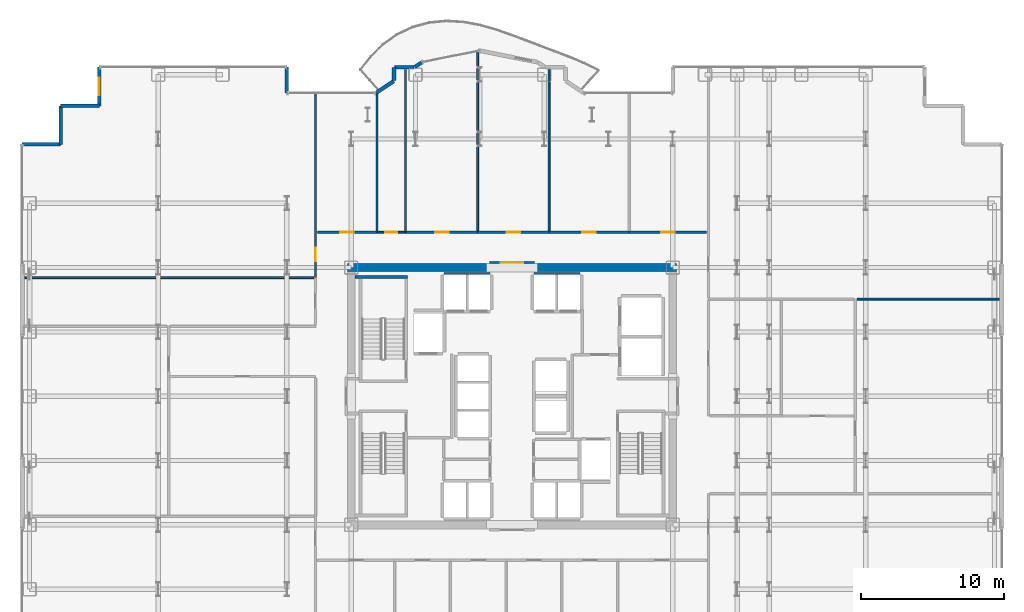
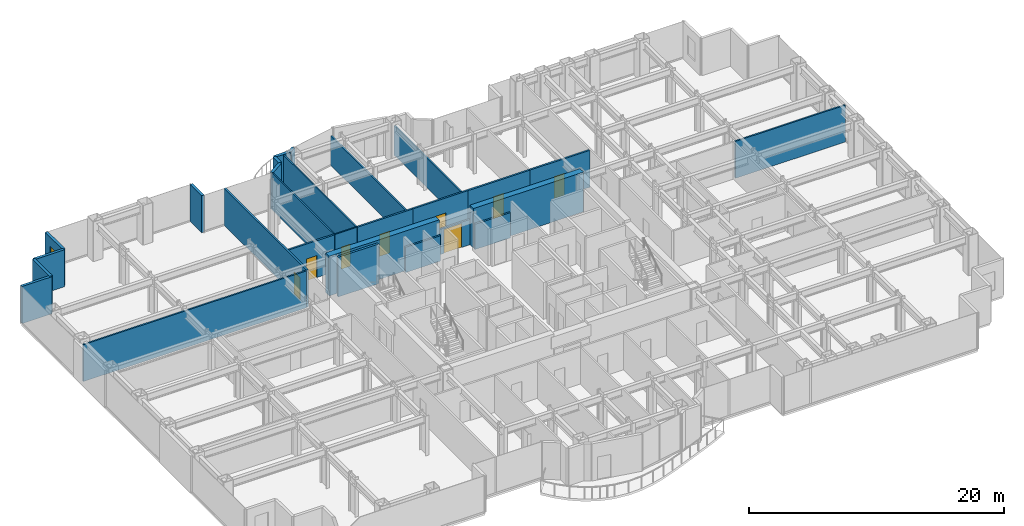
# One storey, part 26 of 29: 28 walls, 8 doors, 1 window, 9 openings.
"""IFC4 building model written with IfcOpenShell, lengths in metres."""

from ifc_helpers import new_model, si_unit, direction, frame, frame_2d, origin, place, context, subcontext, project, spatial, rectangle, extrude, source, transform, mapped, material, layer, layer_set, type_object, element, fill, save


model = new_model("IFC4")

# Units and contexts
model_context = context("Model", 3, precision=1e-05, world=origin(), true_north=direction((0.0, 1.0)))
body_context = subcontext(model_context, "Body", "Model", "MODEL_VIEW")
ifc_project = project(units=[si_unit("LENGTHUNIT", "METRE"), si_unit("AREAUNIT", "SQUARE_METRE"), si_unit("VOLUMEUNIT", "CUBIC_METRE"), si_unit("PLANEANGLEUNIT", "RADIAN"), si_unit("MASSUNIT", "GRAM", prefix="KILO")], contexts=[model_context])

# Site, building, storey
site_placement = place(None, origin())
site = spatial("IfcSite", under=ifc_project, at=site_placement, CompositionType="ELEMENT")
building_placement = place(site_placement, origin())
building = spatial("IfcBuilding", under=site, at=building_placement, Name="Nefas-Gora Pilgrimage Tower", CompositionType="ELEMENT")
storey_placement = place(building_placement, frame((0.0, 0.0, 90.800048828125)))
storey = spatial("IfcBuildingStorey", under=building, at=storey_placement, Name="L21", CompositionType="ELEMENT", Elevation=90.800048828125)

# Walls
ifc_material_1 = material(Name="Concrete C60/75", Category="concrete")
ifc_layer_1 = layer(ifc_material_1, 0.550048828125)
ifc_layer_set_1 = layer_set([ifc_layer_1], Name="Concrete C60/75")
wall_type_1 = type_object("IfcWallType", Name="SW-CORE-550", PredefinedType="SHEAR", material=ifc_layer_set_1)
shared_shape_1 = source(origin(), body_context, "Body", "SweptSolid", [
    extrude(rectangle(XDim=9.974853515625, YDim=0.550048828125, at=frame_2d((4.9873046875, 0.0))), origin(), (0.0, 0.0, 1.0), 3.800048828125),
])
for number, where, z_axis, x_axis, name in (
    (1, (-11.52490234375, 9.0, 0.0), (0.0, 0.0, 1.0), (1.0, 0.0, 0.0), "L21 Core Shear Wall N-West"),
    (2, (1.550048828125, 9.0, 0.0), (0.0, 0.0, 1.0), (1.0, 0.0, 0.0), "L21 Core Shear Wall N-East"),
):
    element("IfcWall", number, at=place(storey_placement, frame(where, z_axis=z_axis, x_axis=x_axis)), inside=storey, type_object=wall_type_1, Name=name, PredefinedType="SHEAR", context=body_context, shape_type="MappedRepresentation", body=[
        mapped(shared_shape_1, transform((0.0, 0.0, 0.0), x_axis=(1.0, 0.0, 0.0), y_axis=(0.0, 1.0, 0.0), z_axis=(0.0, 0.0, 1.0), scale=1.0)),
    ])
ifc_material_2 = material(Name="Precast concrete C40/50", Category="concrete")
ifc_layer_2 = layer(ifc_material_2, 0.260009765625)
ifc_layer_set_2 = layer_set([ifc_layer_2], Name="Precast concrete C40/50")
wall_type_2 = type_object("IfcWallType", Name="EW-PORTAL-260", PredefinedType="SOLIDWALL", material=ifc_layer_set_2)
shared_shape_2 = source(origin(), body_context, "Body", "SweptSolid", [
    extrude(rectangle(XDim=1.800048828125, YDim=0.260009765625, at=frame_2d((0.89990234375, 0.0))), origin(), (0.0, 0.0, 1.0), 3.550048828125),
])
wall_1_placement = place(storey_placement, frame((-15.75, 21.219970703125, 0.0), z_axis=(0.0, 0.0, 1.0), x_axis=(0.0, 1.0, 0.0)))
element("IfcWall", 3, at=wall_1_placement, inside=storey, type_object=wall_type_2, Name="L21 Lobe Shoulder Precast Spandrel Pier 24", PredefinedType="SOLIDWALL", context=body_context, shape_type="MappedRepresentation", body=[
    mapped(shared_shape_2, transform((0.0, 0.0, 0.0), x_axis=(1.0, 0.0, 0.0), y_axis=(0.0, 1.0, 0.0), z_axis=(0.0, 0.0, 1.0), scale=1.0)),
])

# Wall, opening, window
ifc_material_3 = material(Name="Precast concrete C45/55", Category="concrete")
ifc_layer_3 = layer(ifc_material_3, 0.239990234375)
ifc_layer_set_3 = layer_set([ifc_layer_3], Name="Precast concrete C45/55")
wall_type_3 = type_object("IfcWallType", Name="EW-SERR-240", PredefinedType="SHEAR", material=ifc_layer_set_3)
shared_shape_3 = source(origin(), body_context, "Body", "SweptSolid", [
    extrude(rectangle(XDim=2.699951171875, YDim=0.239990234375, at=frame_2d((1.35009765625, 0.0))), origin(), (0.0, 0.0, 1.0), 3.550048828125),
])
wall_2_placement = place(storey_placement, frame((-28.8701171875, 23.02001953125, 0.0), z_axis=(0.0, 0.0, 1.0), x_axis=(0.0, -1.0, 0.0)))
wall_2 = element("IfcWall", 4, at=wall_2_placement, inside=storey, type_object=wall_type_3, Name="L21 Serrated Corner Shear Pier Wall 25", PredefinedType="SHEAR", context=body_context, shape_type="MappedRepresentation", body=[
    mapped(shared_shape_3, transform((0.0, 0.0, 0.0), x_axis=(1.0, 0.0, 0.0), y_axis=(0.0, 1.0, 0.0), z_axis=(0.0, 0.0, 1.0), scale=1.0)),
])
opening_1_placement = place(wall_2_placement, frame((0.75, 0.0, 0.85009765625)))
opening_1 = element("IfcOpeningElement", 5, at=opening_1_placement, cuts=wall_2, Name="Opening W-V1", PredefinedType="OPENING", context=body_context, shape_type="SweptSolid", body=[
    extrude(rectangle(XDim=1.199951171875, YDim=1.800048828125, at=frame_2d((0.60009765625, 0.89990234375))), frame((0.0, 0.1298828125, 0.0), z_axis=(0.0, -1.0, 0.0), x_axis=(1.0, 0.0, 0.0)), (0.0, 0.0, 1.0), 0.260009765625),
])
ifc_material_4 = material(Name="Dark ceramic-fritted operable aluminium-glass window", Category="aluminium")
window_type = type_object("IfcWindowType", Name="WIN-VENT-1200x1800", PartitioningType="SINGLE_PANEL", PredefinedType="WINDOW", material=ifc_material_4)
shared_shape_4 = source(origin(), body_context, "Body", "SweptSolid", [
    extrude(rectangle(XDim=1.199951171875, YDim=1.800048828125, at=frame_2d((0.60009765625, 0.89990234375))), frame((0.0, 0.030029296875, 0.0), z_axis=(0.0, -1.0, 0.0), x_axis=(1.0, 0.0, 0.0)), (0.0, 0.0, 1.0), 0.06005859375),
])
window_placement = place(opening_1_placement, origin())
window = element("IfcWindow", 6, at=window_placement, inside=storey, type_object=window_type, Name="L21 Operable Parallel-Outswing Window 25", OverallHeight=1.800048828125, OverallWidth=1.199951171875, PartitioningType="SINGLE_PANEL", PredefinedType="WINDOW", context=body_context, shape_type="MappedRepresentation", body=[
    mapped(shared_shape_4, transform((0.0, 0.0, 0.0), x_axis=(1.0, 0.0, 0.0), y_axis=(0.0, 1.0, 0.0), z_axis=(0.0, 0.0, 1.0), scale=1.0)),
])
fill(opening_1, window)

# Walls
for number, where, z_axis, x_axis, name in (
    (7, (-28.8701171875, 20.320068359375, 0.0), (0.0, 0.0, 1.0), (-1.0, 0.0, 0.0), "L21 Serrated Corner Shear Pier Wall 26"),
    (8, (-31.570068359375, 20.320068359375, 0.0), (0.0, 0.0, 1.0), (0.0, -1.0, 0.0), "L21 Serrated Corner Shear Pier Wall 27"),
    (9, (-31.570068359375, 17.6201171875, 0.0), (0.0, 0.0, 1.0), (-1.0, 0.0, 0.0), "L21 Serrated Corner Shear Pier Wall 28"),
):
    element("IfcWall", number, at=place(storey_placement, frame(where, z_axis=z_axis, x_axis=x_axis)), inside=storey, type_object=wall_type_3, Name=name, PredefinedType="SHEAR", context=body_context, shape_type="MappedRepresentation", body=[
        mapped(shared_shape_3, transform((0.0, 0.0, 0.0), x_axis=(1.0, 0.0, 0.0), y_axis=(0.0, 1.0, 0.0), z_axis=(0.0, 0.0, 1.0), scale=1.0)),
    ])
shared_shape_5 = source(origin(), body_context, "Body", "SweptSolid", [
    extrude(rectangle(XDim=1.468994140625, YDim=0.260009765625, at=frame_2d((0.734375, 0.0))), origin(), (0.0, 0.0, 1.0), 3.550048828125),
])
wall_3_placement = place(storey_placement, frame((-8.273193359375, 22.0517578125, 0.0), z_axis=(0.0, 0.0, 1.0), x_axis=(-0.831461760506, -0.555581983884, 0.0)))
element("IfcWall", 10, at=wall_3_placement, inside=storey, type_object=wall_type_2, Name="L21 Lobe Shoulder Precast Spandrel Pier 23", PredefinedType="SOLIDWALL", context=body_context, shape_type="MappedRepresentation", body=[
    mapped(shared_shape_5, transform((0.0, 0.0, 0.0), x_axis=(1.0, 0.0, 0.0), y_axis=(0.0, 1.0, 0.0), z_axis=(0.0, 0.0, 1.0), scale=1.0)),
])
shared_shape_6 = source(origin(), body_context, "Body", "SweptSolid", [
    extrude(rectangle(XDim=0.896728515625, YDim=0.260009765625, at=frame_2d((0.4482421875, 0.0))), origin(), (0.0, 0.0, 1.0), 3.550048828125),
])
wall_4_placement = place(storey_placement, frame((-8.25, 22.991943359375, 0.0), z_axis=(0.0, 0.0, 1.0), x_axis=(0.0, -1.0, 0.0)))
element("IfcWall", 11, at=wall_4_placement, inside=storey, type_object=wall_type_2, Name="L21 Lobe Shoulder Precast Spandrel Pier 22", PredefinedType="SOLIDWALL", context=body_context, shape_type="MappedRepresentation", body=[
    mapped(shared_shape_6, transform((0.0, 0.0, 0.0), x_axis=(1.0, 0.0, 0.0), y_axis=(0.0, 1.0, 0.0), z_axis=(0.0, 0.0, 1.0), scale=1.0)),
])
shared_shape_7 = source(origin(), body_context, "Body", "SweptSolid", [
    extrude(rectangle(XDim=1.369873046875, YDim=0.260009765625, at=frame_2d((0.68505859375, 0.0))), origin(), (0.0, 0.0, 1.0), 3.550048828125),
])
wall_5_placement = place(storey_placement, frame((-6.85205078125, 23.02001953125, 0.0), z_axis=(0.0, 0.0, 1.0), x_axis=(-1.0, 0.0, 0.0)))
element("IfcWall", 12, at=wall_5_placement, inside=storey, type_object=wall_type_2, Name="L21 Lobe Shoulder Precast Spandrel Pier 21", PredefinedType="SOLIDWALL", context=body_context, shape_type="MappedRepresentation", body=[
    mapped(shared_shape_7, transform((0.0, 0.0, 0.0), x_axis=(1.0, 0.0, 0.0), y_axis=(0.0, 1.0, 0.0), z_axis=(0.0, 0.0, 1.0), scale=1.0)),
])
shared_shape_8 = source(origin(), body_context, "Body", "SweptSolid", [
    extrude(rectangle(XDim=0.5654296875, YDim=0.260009765625, at=frame_2d((0.28271484375, 0.0))), origin(), (0.0, 0.0, 1.0), 3.550048828125),
])
wall_6_placement = place(storey_placement, frame((-6.33056640625, 23.349609375, 0.0), z_axis=(0.0, 0.0, 1.0), x_axis=(-0.831651492666, -0.555297933317, 0.0)))
element("IfcWall", 13, at=wall_6_placement, inside=storey, type_object=wall_type_2, Name="L21 Lobe Shoulder Precast Spandrel Pier 20", PredefinedType="SOLIDWALL", context=body_context, shape_type="MappedRepresentation", body=[
    mapped(shared_shape_8, transform((0.0, 0.0, 0.0), x_axis=(1.0, 0.0, 0.0), y_axis=(0.0, 1.0, 0.0), z_axis=(0.0, 0.0, 1.0), scale=1.0)),
])
ifc_material_5 = material(Name="Concrete C45/55", Category="concrete")
ifc_layer_4 = layer(ifc_material_5, 0.199951171875)
ifc_layer_set_4 = layer_set([ifc_layer_4], Name="Concrete C45/55")
wall_type_4 = type_object("IfcWallType", Name="IW-STAIR-200", PredefinedType="SOLIDWALL", material=ifc_layer_set_4)
shared_shape_9 = source(origin(), body_context, "Body", "SweptSolid", [
    extrude(rectangle(XDim=3.679931640625, YDim=0.199951171875, at=frame_2d((1.83984375, 0.0))), origin(), (0.0, 0.0, 1.0), 3.800048828125),
])
wall_7_placement = place(storey_placement, frame((-7.300048828125, 8.35009765625, 0.0), z_axis=(0.0, 0.0, 1.0), x_axis=(-1.0, 0.0, 0.0)))
element("IfcWall", 14, at=wall_7_placement, inside=storey, type_object=wall_type_4, Name="L21 Stairwell Shear Wall ST-01-far", PredefinedType="SOLIDWALL", context=body_context, shape_type="MappedRepresentation", body=[
    mapped(shared_shape_9, transform((0.0, 0.0, 0.0), x_axis=(1.0, 0.0, 0.0), y_axis=(0.0, 1.0, 0.0), z_axis=(0.0, 0.0, 1.0), scale=1.0)),
])
ifc_material_6 = material(Name="Gypsum acoustic stud partition")
ifc_layer_5 = layer(ifc_material_6, 0.159912109375)
ifc_layer_set_5 = layer_set([ifc_layer_5], Name="Gypsum acoustic stud partition")
wall_type_5 = type_object("IfcWallType", Name="IW-CORR-160", PredefinedType="PARTITIONING", material=ifc_layer_set_5)
shared_shape_10 = source(origin(), body_context, "Body", "SweptSolid", [
    extrude(rectangle(XDim=3.199951171875, YDim=0.159912109375, at=frame_2d((1.60009765625, 0.0))), origin(), (0.0, 0.0, 1.0), 2.425048828125),
])
for number, where, z_axis, x_axis, name in (
    (15, (-1.550048828125, 8.580078125, 0.0), (0.0, 0.0, 1.0), (-1.0, 0.0, 0.0), "L21 Hoistway Wall PL1-W-N"),
    (16, (4.75, 8.580078125, 0.0), (0.0, 0.0, 1.0), (-1.0, 0.0, 0.0), "L21 Hoistway Wall PL1-E-N"),
):
    element("IfcWall", number, at=place(storey_placement, frame(where, z_axis=z_axis, x_axis=x_axis)), inside=storey, type_object=wall_type_5, Name=name, PredefinedType="PARTITIONING", context=body_context, shape_type="MappedRepresentation", body=[
        mapped(shared_shape_10, transform((0.0, 0.0, 0.0), x_axis=(1.0, 0.0, 0.0), y_axis=(0.0, 1.0, 0.0), z_axis=(0.0, 0.0, 1.0), scale=1.0)),
    ])

# Wall, opening, door
ifc_material_7 = material(Name="Moisture-resistant fire-rated gypsum partition")
ifc_layer_6 = layer(ifc_material_7, 0.1201171875)
ifc_layer_set_6 = layer_set([ifc_layer_6], Name="Moisture-resistant fire-rated gypsum partition")
wall_type_6 = type_object("IfcWallType", Name="IW-WET-120", PredefinedType="PLUMBINGWALL", material=ifc_layer_set_6)
shared_shape_11 = source(origin(), body_context, "Body", "SweptSolid", [
    extrude(rectangle(XDim=2.02001953125, YDim=0.1201171875, at=frame_2d((1.010009765625, 0.0))), origin(), (0.0, 0.0, 1.0), 3.534912109375),
])
wall_8_placement = place(storey_placement, frame((-9.4599609375, 11.469970703125, 0.0), z_axis=(0.0, 0.0, 1.0), x_axis=(1.0, 0.0, 0.0)))
wall_8 = element("IfcWall", 17, at=wall_8_placement, inside=storey, type_object=wall_type_6, Name="L21 Accessible Unisex WC Partition Wall 25", PredefinedType="PLUMBINGWALL", context=body_context, shape_type="MappedRepresentation", body=[
    mapped(shared_shape_11, transform((0.0, 0.0, 0.0), x_axis=(1.0, 0.0, 0.0), y_axis=(0.0, 1.0, 0.0), z_axis=(0.0, 0.0, 1.0), scale=1.0)),
])
opening_2_placement = place(wall_8_placement, frame((0.5849609375, 0.0, 0.0)))
opening_2 = element("IfcOpeningElement", 18, at=opening_2_placement, cuts=wall_8, Name="Opening ID-BT1", PredefinedType="OPENING", context=body_context, shape_type="SweptSolid", body=[
    extrude(rectangle(XDim=0.85009765625, YDim=2.10009765625, at=frame_2d((0.425048828125, 1.050048828125))), frame((0.0, 0.070068359375, 0.0), z_axis=(0.0, -1.0, 0.0), x_axis=(1.0, 0.0, 0.0)), (0.0, 0.0, 1.0), 0.14013671875),
])
ifc_material_8 = material(Name="Moisture-resistant fire-rated timber door", Category="wood")
door_type_1 = type_object("IfcDoorType", Name="DR-INT-BATH-850", OperationType="NOTDEFINED", PredefinedType="DOOR", material=ifc_material_8)
shared_shape_12 = source(origin(), body_context, "Body", "SweptSolid", [
    extrude(rectangle(XDim=0.85009765625, YDim=2.10009765625, at=frame_2d((0.425048828125, 1.050048828125))), frame((0.0, 0.02490234375, 0.0), z_axis=(0.0, -1.0, 0.0), x_axis=(1.0, 0.0, 0.0)), (0.0, 0.0, 1.0), 0.050048828125),
])
door_1_placement = place(opening_2_placement, origin())
door_1 = element("IfcDoor", 19, at=door_1_placement, inside=storey, type_object=door_type_1, Name="L21 Accessible Unisex WC Door 10", OperationType="SINGLE_SWING_LEFT", OverallHeight=2.10009765625, OverallWidth=0.85009765625, PredefinedType="DOOR", context=body_context, shape_type="MappedRepresentation", body=[
    mapped(shared_shape_12, transform((0.0, 0.0, 0.0), x_axis=(1.0, 0.0, 0.0), y_axis=(0.0, 1.0, 0.0), z_axis=(0.0, 0.0, 1.0), scale=1.0)),
])
fill(opening_2, door_1)

# Walls
shared_shape_13 = source(origin(), body_context, "Body", "SweptSolid", [
    extrude(rectangle(XDim=11.280029296875, YDim=0.1201171875, at=frame_2d((5.64013671875, 0.0))), origin(), (0.0, 0.0, 1.0), 3.534912109375),
])
wall_9_placement = place(storey_placement, frame((-7.449951171875, 11.570068359375, 0.0), z_axis=(0.0, 0.0, 1.0), x_axis=(0.0, 1.0, 0.0)))
element("IfcWall", 20, at=wall_9_placement, inside=storey, type_object=wall_type_6, Name="L21 Accessible Unisex WC Partition Wall 26", PredefinedType="PLUMBINGWALL", context=body_context, shape_type="MappedRepresentation", body=[
    mapped(shared_shape_13, transform((0.0, 0.0, 0.0), x_axis=(1.0, 0.0, 0.0), y_axis=(0.0, 1.0, 0.0), z_axis=(0.0, 0.0, 1.0), scale=1.0)),
])
shared_shape_14 = source(origin(), body_context, "Body", "SweptSolid", [
    extrude(rectangle(XDim=9.586669921875, YDim=0.1201171875, at=frame_2d((4.79345703125, 0.0))), origin(), (0.0, 0.0, 1.0), 3.534912109375),
])
wall_10_placement = place(storey_placement, frame((-9.449951171875, 11.570068359375, 0.0), z_axis=(0.0, 0.0, 1.0), x_axis=(0.0, 1.0, 0.0)))
element("IfcWall", 21, at=wall_10_placement, inside=storey, type_object=wall_type_6, Name="L21 Accessible Unisex WC Partition Wall 27", PredefinedType="PLUMBINGWALL", context=body_context, shape_type="MappedRepresentation", body=[
    mapped(shared_shape_14, transform((0.0, 0.0, 0.0), x_axis=(1.0, 0.0, 0.0), y_axis=(0.0, 1.0, 0.0), z_axis=(0.0, 0.0, 1.0), scale=1.0)),
])
ifc_material_9 = material(Name="Gypsum twin-stud partition")
ifc_layer_7 = layer(ifc_material_9, 0.139892578125)
ifc_layer_set_7 = layer_set([ifc_layer_7], Name="Gypsum twin-stud partition")
wall_type_7 = type_object("IfcWallType", Name="IW-UNIT-140", PredefinedType="PARTITIONING", material=ifc_layer_set_7)
shared_shape_15 = source(origin(), body_context, "Body", "SweptSolid", [
    extrude(rectangle(XDim=20.219970703125, YDim=0.139892578125, at=frame_2d((10.10986328125, 0.0))), origin(), (0.0, 0.0, 1.0), 3.534912109375),
])
wall_11_placement = place(storey_placement, frame((-34.080078125, 8.294921875, 0.0), z_axis=(0.0, 0.0, 1.0), x_axis=(1.0, 0.0, 0.0)))
element("IfcWall", 22, at=wall_11_placement, inside=storey, type_object=wall_type_7, Name="L21 Pilgrim Tea and Beverage Pantry Partition Wall 36", PredefinedType="PARTITIONING", context=body_context, shape_type="MappedRepresentation", body=[
    mapped(shared_shape_15, transform((0.0, 0.0, 0.0), x_axis=(1.0, 0.0, 0.0), y_axis=(0.0, 1.0, 0.0), z_axis=(0.0, 0.0, 1.0), scale=1.0)),
])

# Wall, opening, door
shared_shape_16 = source(origin(), body_context, "Body", "SweptSolid", [
    extrude(rectangle(XDim=4.125, YDim=0.159912109375, at=frame_2d((2.0625, 0.0))), origin(), (0.0, 0.0, 1.0), 3.534912109375),
])
wall_12_placement = place(storey_placement, frame((-13.6201171875, 11.469970703125, 0.0), z_axis=(0.0, 0.0, 1.0), x_axis=(1.0, 0.0, 0.0)))
wall_12 = element("IfcWall", 23, at=wall_12_placement, inside=storey, type_object=wall_type_5, Name="L21 Pilgrim Contemplative Lounge Partition Wall 48", PredefinedType="PARTITIONING", context=body_context, shape_type="MappedRepresentation", body=[
    mapped(shared_shape_16, transform((0.0, 0.0, 0.0), x_axis=(1.0, 0.0, 0.0), y_axis=(0.0, 1.0, 0.0), z_axis=(0.0, 0.0, 1.0), scale=1.0)),
])
opening_3_placement = place(wall_12_placement, frame((1.58740234375, 0.0, 0.0)))
opening_3 = element("IfcOpeningElement", 24, at=opening_3_placement, cuts=wall_12, Name="Opening ID-GR1", PredefinedType="OPENING", context=body_context, shape_type="SweptSolid", body=[
    extrude(rectangle(XDim=0.949951171875, YDim=2.10009765625, at=frame_2d((0.47509765625, 1.050048828125))), frame((0.0, 0.08984375, 0.0), z_axis=(0.0, -1.0, 0.0), x_axis=(1.0, 0.0, 0.0)), (0.0, 0.0, 1.0), 0.179931640625),
])
ifc_material_10 = material(Name="Solid core oak fire-rated guest entrance door")
door_type_2 = type_object("IfcDoorType", Name="DR-INT-GUEST-950", OperationType="NOTDEFINED", PredefinedType="DOOR", material=ifc_material_10)
shared_shape_17 = source(origin(), body_context, "Body", "SweptSolid", [
    extrude(rectangle(XDim=0.949951171875, YDim=2.10009765625, at=frame_2d((0.47509765625, 1.050048828125))), frame((0.0, 0.02490234375, 0.0), z_axis=(0.0, -1.0, 0.0), x_axis=(1.0, 0.0, 0.0)), (0.0, 0.0, 1.0), 0.050048828125),
])
door_2_placement = place(opening_3_placement, origin())
door_2 = element("IfcDoor", 25, at=door_2_placement, inside=storey, type_object=door_type_2, Name="L21 Pilgrim Contemplative Lounge Door 21", OperationType="SINGLE_SWING_RIGHT", OverallHeight=2.10009765625, OverallWidth=0.949951171875, PredefinedType="DOOR", context=body_context, shape_type="MappedRepresentation", body=[
    mapped(shared_shape_17, transform((0.0, 0.0, 0.0), x_axis=(1.0, 0.0, 0.0), y_axis=(0.0, 1.0, 0.0), z_axis=(0.0, 0.0, 1.0), scale=1.0)),
])
fill(opening_3, door_2)

# Wall
shared_shape_18 = source(origin(), body_context, "Body", "SweptSolid", [
    extrude(rectangle(XDim=11.260009765625, YDim=0.139892578125, at=frame_2d((5.6298828125, 0.0))), origin(), (0.0, 0.0, 1.0), 2.824951171875),
])
wall_13_placement = place(storey_placement, frame((2.594970703125, 11.590087890625, 0.0), z_axis=(0.0, 0.0, 1.0), x_axis=(0.0, 1.0, 0.0)))
element("IfcWall", 26, at=wall_13_placement, inside=storey, type_object=wall_type_7, Name="L21 Pilgrim Contemplative Lounge Partition Wall 52", PredefinedType="PARTITIONING", context=body_context, shape_type="MappedRepresentation", body=[
    mapped(shared_shape_18, transform((0.0, 0.0, 0.0), x_axis=(1.0, 0.0, 0.0), y_axis=(0.0, 1.0, 0.0), z_axis=(0.0, 0.0, 1.0), scale=1.0)),
])

# Wall, opening, door
shared_shape_19 = source(origin(), body_context, "Body", "SweptSolid", [
    extrude(rectangle(XDim=5.425048828125, YDim=0.159912109375, at=frame_2d((2.71240234375, 0.0))), origin(), (0.0, 0.0, 1.0), 3.534912109375),
])
wall_14_placement = place(storey_placement, frame((8.195068359375, 11.469970703125, 0.0), z_axis=(0.0, 0.0, 1.0), x_axis=(1.0, 0.0, 0.0)))
wall_14 = element("IfcWall", 27, at=wall_14_placement, inside=storey, type_object=wall_type_5, Name="L21 Pilgrim Contemplative Lounge Partition Wall 55", PredefinedType="PARTITIONING", context=body_context, shape_type="MappedRepresentation", body=[
    mapped(shared_shape_19, transform((0.0, 0.0, 0.0), x_axis=(1.0, 0.0, 0.0), y_axis=(0.0, 1.0, 0.0), z_axis=(0.0, 0.0, 1.0), scale=1.0)),
])
opening_4_placement = place(wall_14_placement, frame((2.237548828125, 0.0, 0.0)))
opening_4 = element("IfcOpeningElement", 28, at=opening_4_placement, cuts=wall_14, Name="Opening ID-GR1", PredefinedType="OPENING", context=body_context, shape_type="SweptSolid", body=[
    extrude(rectangle(XDim=0.949951171875, YDim=2.10009765625, at=frame_2d((0.47509765625, 1.050048828125))), frame((0.0, 0.08984375, 0.0), z_axis=(0.0, -1.0, 0.0), x_axis=(1.0, 0.0, 0.0)), (0.0, 0.0, 1.0), 0.179931640625),
])
door_3_placement = place(opening_4_placement, origin())
door_3 = element("IfcDoor", 29, at=door_3_placement, inside=storey, type_object=door_type_2, Name="L21 Pilgrim Contemplative Lounge Door 25", OperationType="SINGLE_SWING_RIGHT", OverallHeight=2.10009765625, OverallWidth=0.949951171875, PredefinedType="DOOR", context=body_context, shape_type="MappedRepresentation", body=[
    mapped(shared_shape_17, transform((0.0, 0.0, 0.0), x_axis=(1.0, 0.0, 0.0), y_axis=(0.0, 1.0, 0.0), z_axis=(0.0, 0.0, 1.0), scale=1.0)),
])
fill(opening_4, door_3)

# Wall
shared_shape_20 = source(origin(), body_context, "Body", "SweptSolid", [
    extrude(rectangle(XDim=9.940185546875, YDim=0.139892578125, at=frame_2d((4.97021484375, 0.0))), origin(), (0.0, 0.0, 1.0), 3.534912109375),
])
wall_15_placement = place(storey_placement, frame((24.139892578125, 6.794921875, 0.0), z_axis=(0.0, 0.0, 1.0), x_axis=(1.0, 0.0, 0.0)))
element("IfcWall", 30, at=wall_15_placement, inside=storey, type_object=wall_type_7, Name="L21 Pilgrim Fellowship Seminar Room Partition Wall 42", PredefinedType="PARTITIONING", context=body_context, shape_type="MappedRepresentation", body=[
    mapped(shared_shape_20, transform((0.0, 0.0, 0.0), x_axis=(1.0, 0.0, 0.0), y_axis=(0.0, 1.0, 0.0), z_axis=(0.0, 0.0, 1.0), scale=1.0)),
])

# Wall, opening, door
shared_shape_21 = source(origin(), body_context, "Body", "SweptSolid", [
    extrude(rectangle(XDim=3.16015625, YDim=0.159912109375, at=frame_2d((1.580078125, 0.0))), origin(), (0.0, 0.0, 1.0), 2.425048828125),
])
wall_16_placement = place(storey_placement, frame((-1.580078125, 9.35009765625, 0.0), z_axis=(0.0, 0.0, 1.0), x_axis=(1.0, 0.0, 0.0)))
wall_16 = element("IfcWall", 31, at=wall_16_placement, inside=storey, type_object=wall_type_5, Name="L21 Central Lift Lobby North Portal Wall 13", PredefinedType="PARTITIONING", context=body_context, shape_type="MappedRepresentation", body=[
    mapped(shared_shape_21, transform((0.0, 0.0, 0.0), x_axis=(1.0, 0.0, 0.0), y_axis=(0.0, 1.0, 0.0), z_axis=(0.0, 0.0, 1.0), scale=1.0)),
])
opening_5_placement = place(wall_16_placement, frame((0.780029296875, 0.0, 0.0)))
opening_5 = element("IfcOpeningElement", 32, at=opening_5_placement, cuts=wall_16, Name="Opening ID-HL1", PredefinedType="OPENING", context=body_context, shape_type="SweptSolid", body=[
    extrude(rectangle(XDim=1.60009765625, YDim=2.300048828125, at=frame_2d((0.800048828125, 1.14990234375))), frame((0.0, 0.08984375, 0.0), z_axis=(0.0, -1.0, 0.0), x_axis=(1.0, 0.0, 0.0)), (0.0, 0.0, 1.0), 0.179931640625),
])
ifc_material_11 = material(Name="Double acoustic timber assembly hall door", Category="wood")
door_type_3 = type_object("IfcDoorType", Name="DR-INT-HALL-1600", OperationType="DOUBLE_DOOR_SINGLE_SWING", PredefinedType="DOOR", material=ifc_material_11)
shared_shape_22 = source(origin(), body_context, "Body", "SweptSolid", [
    extrude(rectangle(XDim=1.60009765625, YDim=2.300048828125, at=frame_2d((0.800048828125, 1.14990234375))), frame((0.0, 0.02490234375, 0.0), z_axis=(0.0, -1.0, 0.0), x_axis=(1.0, 0.0, 0.0)), (0.0, 0.0, 1.0), 0.050048828125),
])
door_4_placement = place(opening_5_placement, origin())
door_4 = element("IfcDoor", 33, at=door_4_placement, inside=storey, type_object=door_type_3, Name="L21 Central Lift Lobby North Portal Door 4", OperationType="DOUBLE_DOOR_SINGLE_SWING", OverallHeight=2.300048828125, OverallWidth=1.60009765625, PredefinedType="DOOR", context=body_context, shape_type="MappedRepresentation", body=[
    mapped(shared_shape_22, transform((0.0, 0.0, 0.0), x_axis=(1.0, 0.0, 0.0), y_axis=(0.0, 1.0, 0.0), z_axis=(0.0, 0.0, 1.0), scale=1.0)),
])
fill(opening_5, door_4)

shared_shape_23 = source(origin(), body_context, "Body", "SweptSolid", [
    extrude(rectangle(XDim=12.945068359375, YDim=0.159912109375, at=frame_2d((6.47265625, 0.0))), origin(), (0.0, 0.0, 1.0), 3.534912109375),
])
wall_17_placement = place(storey_placement, frame((-13.739990234375, 8.294921875, 0.0), z_axis=(0.0, 0.0, 1.0), x_axis=(0.0, 1.0, 0.0)))
wall_17 = element("IfcWall", 34, at=wall_17_placement, inside=storey, type_object=wall_type_5, Name="L21 Pilgrim Fellowship Seminar Room Partition Wall 37", PredefinedType="PARTITIONING", context=body_context, shape_type="MappedRepresentation", body=[
    mapped(shared_shape_23, transform((0.0, 0.0, 0.0), x_axis=(1.0, 0.0, 0.0), y_axis=(0.0, 1.0, 0.0), z_axis=(0.0, 0.0, 1.0), scale=1.0)),
])
opening_6_placement = place(wall_17_placement, frame((1.132568359375, 0.0, 0.0)))
opening_6 = element("IfcOpeningElement", 35, at=opening_6_placement, cuts=wall_17, Name="Opening ID-GR1", PredefinedType="OPENING", context=body_context, shape_type="SweptSolid", body=[
    extrude(rectangle(XDim=0.949951171875, YDim=2.10009765625, at=frame_2d((0.47509765625, 1.050048828125))), frame((0.0, 0.08984375, 0.0), z_axis=(0.0, -1.0, 0.0), x_axis=(1.0, 0.0, 0.0)), (0.0, 0.0, 1.0), 0.179931640625),
])
door_5_placement = place(opening_6_placement, origin())
door_5 = element("IfcDoor", 36, at=door_5_placement, inside=storey, type_object=door_type_2, Name="L21 Pilgrim Fellowship Seminar Room Door 15", OperationType="SINGLE_SWING_RIGHT", OverallHeight=2.10009765625, OverallWidth=0.949951171875, PredefinedType="DOOR", context=body_context, shape_type="MappedRepresentation", body=[
    mapped(shared_shape_17, transform((0.0, 0.0, 0.0), x_axis=(1.0, 0.0, 0.0), y_axis=(0.0, 1.0, 0.0), z_axis=(0.0, 0.0, 1.0), scale=1.0)),
])
fill(opening_6, door_5)

shared_shape_24 = source(origin(), body_context, "Body", "SweptSolid", [
    extrude(rectangle(XDim=5.005126953125, YDim=0.159912109375, at=frame_2d((2.50244140625, 0.0))), origin(), (0.0, 0.0, 1.0), 3.534912109375),
])
wall_18_placement = place(storey_placement, frame((-7.405029296875, 11.469970703125, 0.0), z_axis=(0.0, 0.0, 1.0), x_axis=(1.0, 0.0, 0.0)))
wall_18 = element("IfcWall", 37, at=wall_18_placement, inside=storey, type_object=wall_type_5, Name="L21 Pilgrim Contemplative Lounge Partition Wall 49", PredefinedType="PARTITIONING", context=body_context, shape_type="MappedRepresentation", body=[
    mapped(shared_shape_24, transform((0.0, 0.0, 0.0), x_axis=(1.0, 0.0, 0.0), y_axis=(0.0, 1.0, 0.0), z_axis=(0.0, 0.0, 1.0), scale=1.0)),
])
opening_7_placement = place(wall_18_placement, frame((2.027587890625, 0.0, 0.0)))
opening_7 = element("IfcOpeningElement", 38, at=opening_7_placement, cuts=wall_18, Name="Opening ID-GR1", PredefinedType="OPENING", context=body_context, shape_type="SweptSolid", body=[
    extrude(rectangle(XDim=0.949951171875, YDim=2.10009765625, at=frame_2d((0.47509765625, 1.050048828125))), frame((0.0, 0.08984375, 0.0), z_axis=(0.0, -1.0, 0.0), x_axis=(1.0, 0.0, 0.0)), (0.0, 0.0, 1.0), 0.179931640625),
])
door_6_placement = place(opening_7_placement, origin())
door_6 = element("IfcDoor", 39, at=door_6_placement, inside=storey, type_object=door_type_2, Name="L21 Pilgrim Contemplative Lounge Door 22", OperationType="SINGLE_SWING_LEFT", OverallHeight=2.10009765625, OverallWidth=0.949951171875, PredefinedType="DOOR", context=body_context, shape_type="MappedRepresentation", body=[
    mapped(shared_shape_17, transform((0.0, 0.0, 0.0), x_axis=(1.0, 0.0, 0.0), y_axis=(0.0, 1.0, 0.0), z_axis=(0.0, 0.0, 1.0), scale=1.0)),
])
fill(opening_7, door_6)

# Wall
shared_shape_25 = source(origin(), body_context, "Body", "SweptSolid", [
    extrude(rectangle(XDim=12.57470703125, YDim=0.139892578125, at=frame_2d((6.287353515625, 0.0))), origin(), (0.0, 0.0, 1.0), 2.824951171875),
])
wall_19_placement = place(storey_placement, frame((-2.409912109375, 11.590087890625, 0.0), z_axis=(0.0, 0.0, 1.0), x_axis=(0.0, 1.0, 0.0)))
element("IfcWall", 40, at=wall_19_placement, inside=storey, type_object=wall_type_7, Name="L21 Pilgrim Contemplative Lounge Partition Wall 50", PredefinedType="PARTITIONING", context=body_context, shape_type="MappedRepresentation", body=[
    mapped(shared_shape_25, transform((0.0, 0.0, 0.0), x_axis=(1.0, 0.0, 0.0), y_axis=(0.0, 1.0, 0.0), z_axis=(0.0, 0.0, 1.0), scale=1.0)),
])

# Wall, opening, door
shared_shape_26 = source(origin(), body_context, "Body", "SweptSolid", [
    extrude(rectangle(XDim=5.0048828125, YDim=0.159912109375, at=frame_2d((2.50244140625, 0.0))), origin(), (0.0, 0.0, 1.0), 3.534912109375),
])
wall_20_placement = place(storey_placement, frame((-2.39990234375, 11.469970703125, 0.0), z_axis=(0.0, 0.0, 1.0), x_axis=(1.0, 0.0, 0.0)))
wall_20 = element("IfcWall", 41, at=wall_20_placement, inside=storey, type_object=wall_type_5, Name="L21 Pilgrim Contemplative Lounge Partition Wall 51", PredefinedType="PARTITIONING", context=body_context, shape_type="MappedRepresentation", body=[
    mapped(shared_shape_26, transform((0.0, 0.0, 0.0), x_axis=(1.0, 0.0, 0.0), y_axis=(0.0, 1.0, 0.0), z_axis=(0.0, 0.0, 1.0), scale=1.0)),
])
opening_8_placement = place(wall_20_placement, frame((2.027587890625, 0.0, 0.0)))
opening_8 = element("IfcOpeningElement", 42, at=opening_8_placement, cuts=wall_20, Name="Opening ID-GR1", PredefinedType="OPENING", context=body_context, shape_type="SweptSolid", body=[
    extrude(rectangle(XDim=0.949951171875, YDim=2.10009765625, at=frame_2d((0.47509765625, 1.050048828125))), frame((0.0, 0.08984375, 0.0), z_axis=(0.0, -1.0, 0.0), x_axis=(1.0, 0.0, 0.0)), (0.0, 0.0, 1.0), 0.179931640625),
])
door_7_placement = place(opening_8_placement, origin())
door_7 = element("IfcDoor", 43, at=door_7_placement, inside=storey, type_object=door_type_2, Name="L21 Pilgrim Contemplative Lounge Door 23", OperationType="SINGLE_SWING_RIGHT", OverallHeight=2.10009765625, OverallWidth=0.949951171875, PredefinedType="DOOR", context=body_context, shape_type="MappedRepresentation", body=[
    mapped(shared_shape_17, transform((0.0, 0.0, 0.0), x_axis=(1.0, 0.0, 0.0), y_axis=(0.0, 1.0, 0.0), z_axis=(0.0, 0.0, 1.0), scale=1.0)),
])
fill(opening_8, door_7)

shared_shape_27 = source(origin(), body_context, "Body", "SweptSolid", [
    extrude(rectangle(XDim=5.610107421875, YDim=0.159912109375, at=frame_2d((2.80517578125, 0.0))), origin(), (0.0, 0.0, 1.0), 3.534912109375),
])
wall_21_placement = place(storey_placement, frame((2.594970703125, 11.469970703125, 0.0), z_axis=(0.0, 0.0, 1.0), x_axis=(1.0, 0.0, 0.0)))
wall_21 = element("IfcWall", 44, at=wall_21_placement, inside=storey, type_object=wall_type_5, Name="L21 Pilgrim Contemplative Lounge Partition Wall 53", PredefinedType="PARTITIONING", context=body_context, shape_type="MappedRepresentation", body=[
    mapped(shared_shape_27, transform((0.0, 0.0, 0.0), x_axis=(1.0, 0.0, 0.0), y_axis=(0.0, 1.0, 0.0), z_axis=(0.0, 0.0, 1.0), scale=1.0)),
])
opening_9_placement = place(wall_21_placement, frame((2.330078125, 0.0, 0.0)))
opening_9 = element("IfcOpeningElement", 45, at=opening_9_placement, cuts=wall_21, Name="Opening ID-GR1", PredefinedType="OPENING", context=body_context, shape_type="SweptSolid", body=[
    extrude(rectangle(XDim=0.949951171875, YDim=2.10009765625, at=frame_2d((0.47509765625, 1.050048828125))), frame((0.0, 0.08984375, 0.0), z_axis=(0.0, -1.0, 0.0), x_axis=(1.0, 0.0, 0.0)), (0.0, 0.0, 1.0), 0.179931640625),
])
door_8_placement = place(opening_9_placement, origin())
door_8 = element("IfcDoor", 46, at=door_8_placement, inside=storey, type_object=door_type_2, Name="L21 Pilgrim Contemplative Lounge Door 24", OperationType="SINGLE_SWING_LEFT", OverallHeight=2.10009765625, OverallWidth=0.949951171875, PredefinedType="DOOR", context=body_context, shape_type="MappedRepresentation", body=[
    mapped(shared_shape_17, transform((0.0, 0.0, 0.0), x_axis=(1.0, 0.0, 0.0), y_axis=(0.0, 1.0, 0.0), z_axis=(0.0, 0.0, 1.0), scale=1.0)),
])
fill(opening_9, door_8)

save(model, "model.ifc")
